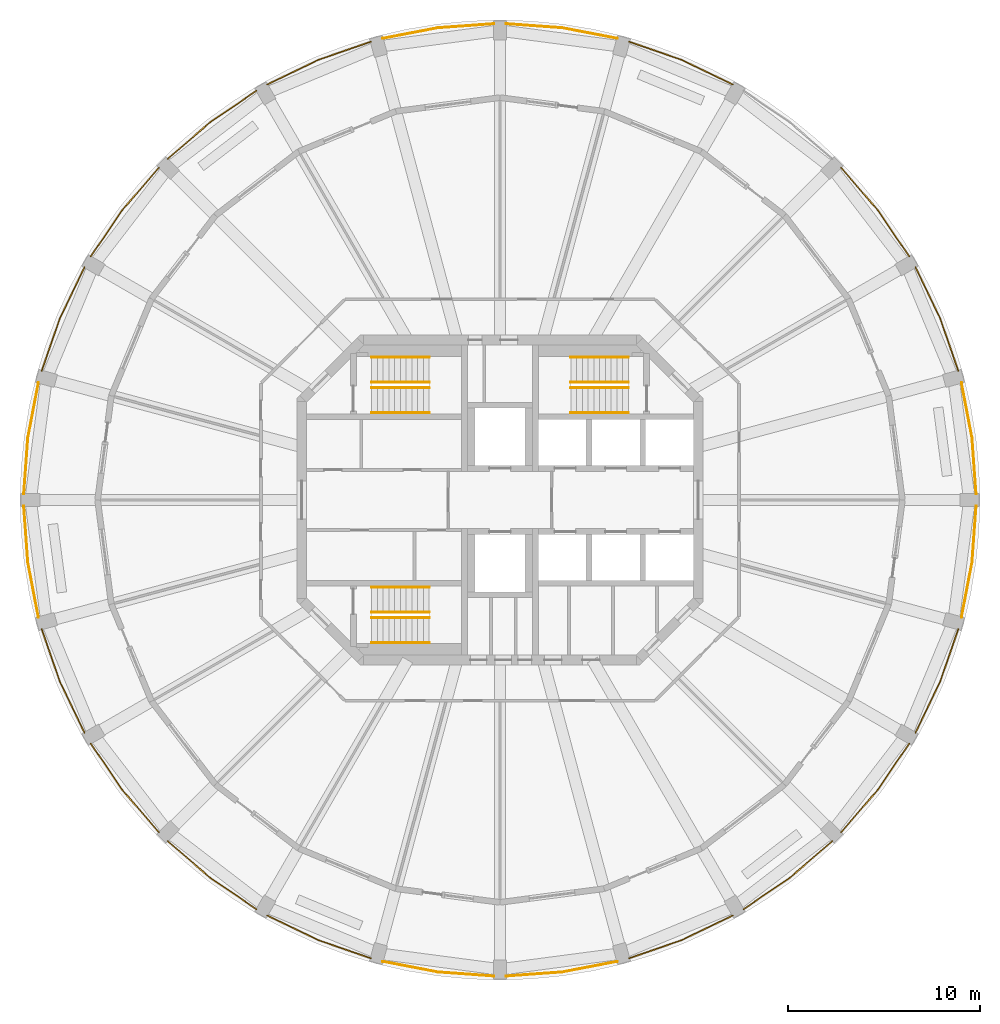
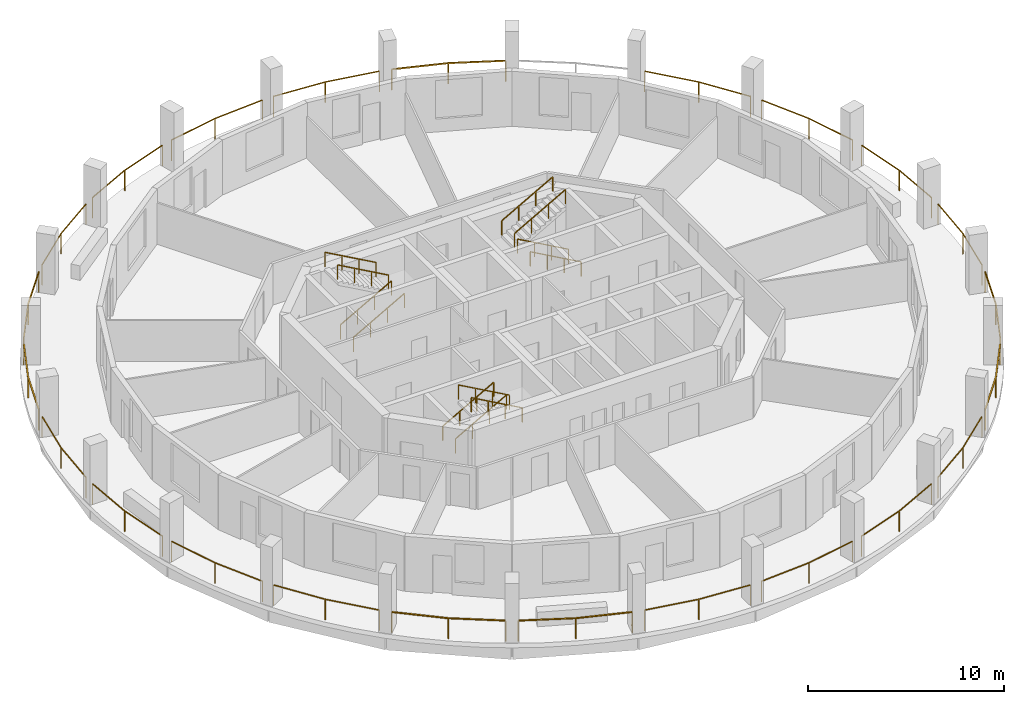
# One storey, part 8 of 9: 35 railings.
"""IFC4 building model written with IfcOpenShell, lengths in metres."""

import ifcopenshell
import ifcopenshell.guid

model = None  # the IFC model being written
_history = None  # IfcOwnerHistory: only IFC2X3 demands one
_inside = {}  # id of a spatial element -> (the spatial element, [elements in it])
_under = {}  # id of a project, library or spatial element -> (it, [spatial elements below it])
_declared = {}  # id of a project -> (the project, [libraries it declares])
_typed = {}  # id of a type object -> (the type object, [elements of that type])
_made_of = {}  # id of a material, layer set ... -> (it, [elements and type objects made of it])


def new_model(schema):
    """Start an empty IFC model of exactly this schema.

    Asked for "IFC4X3", IfcOpenShell would pick the latest addendum, in which some entities
    have other attributes; the version numbers below select the first issue.
    IFC2X3 requires an IfcOwnerHistory on every rooted entity: one is made here for all.
    """
    global model, _history
    if schema == "IFC4X3":
        model = ifcopenshell.file(schema_version=(4, 3, 0, 0))
    else:
        model = ifcopenshell.file(schema=schema)
    _inside.clear()
    _under.clear()
    _declared.clear()
    _typed.clear()
    _made_of.clear()
    _history = None
    if model.schema == "IFC2X3":
        org = make("IfcOrganization", Name="unknown")
        user = make(
            "IfcPersonAndOrganization",
            ThePerson=make("IfcPerson", FamilyName="unknown"),
            TheOrganization=org,
        )
        app = make(
            "IfcApplication",
            ApplicationDeveloper=org,
            Version="unknown",
            ApplicationFullName="unknown",
            ApplicationIdentifier="unknown",
        )
        _history = make(
            "IfcOwnerHistory",
            OwningUser=user,
            OwningApplication=app,
            ChangeAction="ADDED",
            CreationDate=0,
        )
    return model


def make(cls, **values):
    """One entity of the class cls with the attributes given. An attribute that is None is left unset."""
    return model.create_entity(
        cls, **{name: value for name, value in values.items() if value is not None}
    )


def rooted(cls, **values):
    """An entity with a GlobalId (a new one), such as an element, a storey or a relation."""
    return make(cls, GlobalId=ifcopenshell.guid.new(), OwnerHistory=_history, **values)


def si_unit(unit_type, name, prefix=None):
    """IfcSIUnit, for example si_unit("LENGTHUNIT", "METRE", prefix="MILLI")."""
    return make("IfcSIUnit", UnitType=unit_type, Prefix=prefix, Name=name)


def assignment(units):
    """IfcUnitAssignment: the units of a project."""
    return None if units is None else make("IfcUnitAssignment", Units=units)


def point(xyz):
    """IfcCartesianPoint."""
    return None if xyz is None else make("IfcCartesianPoint", Coordinates=xyz)


def direction(xyz):
    """IfcDirection."""
    return None if xyz is None else make("IfcDirection", DirectionRatios=xyz)


def frame(location, z_axis=None, x_axis=None):
    """IfcAxis2Placement3D, a coordinate frame: its origin and axes. An axis left out is left unset."""
    return make(
        "IfcAxis2Placement3D",
        Location=point(location),
        Axis=direction(z_axis),
        RefDirection=direction(x_axis),
    )


def frame_2d(location, x_axis=None):
    """IfcAxis2Placement2D, a coordinate frame in the plane: its origin and x axis."""
    return make(
        "IfcAxis2Placement2D", Location=point(location), RefDirection=direction(x_axis)
    )


def origin():
    """The frame at (0, 0, 0) with its axes left unset."""
    return frame((0.0, 0.0, 0.0))


def origin_2d():
    """The frame at (0, 0) in the plane with its x axis left unset."""
    return frame_2d((0.0, 0.0))


def place(relative_to, where):
    """IfcLocalPlacement: puts the frame where relative to a parent placement (None: the world)."""
    return make(
        "IfcLocalPlacement", PlacementRelTo=relative_to, RelativePlacement=where
    )


def context(
    kind, dimensions, precision=None, world=None, true_north=None, identifier=None
):
    """IfcGeometricRepresentationContext, for example the 3D "Model" context."""
    return make(
        "IfcGeometricRepresentationContext",
        ContextIdentifier=identifier,
        ContextType=kind,
        CoordinateSpaceDimension=dimensions,
        Precision=precision,
        WorldCoordinateSystem=world,
        TrueNorth=true_north,
    )


def subcontext(parent, identifier, kind, view, scale=None):
    """IfcGeometricRepresentationSubContext, for example "Body" below "Model"."""
    return make(
        "IfcGeometricRepresentationSubContext",
        ContextIdentifier=identifier,
        ContextType=kind,
        ParentContext=parent,
        TargetScale=scale,
        TargetView=view,
    )


def project(units=None, contexts=None):
    """IfcProject with its units and contexts."""
    return rooted(
        "IfcProject",
        Name="project",
        RepresentationContexts=contexts,
        UnitsInContext=assignment(units),
    )


def spatial(cls, under=None, at=None, **own):
    """A site, building, storey or space (cls), placed at a placement, below another one or the project."""
    s = rooted(cls, ObjectPlacement=at, **own)
    if under is not None:
        _under.setdefault(under.id(), (under, []))[1].append(s)
    return s


def profile(cls, at=None, kind="AREA", **sizes):
    """A parametric profile (cls). Its sizes go by their IFC names, for example OverallWidth=200.0."""
    return make(cls, ProfileType=kind, Position=at, **sizes)


def rectangle(**sizes):
    """IfcRectangleProfileDef."""
    return profile("IfcRectangleProfileDef", **sizes)


def extrude(swept, where, along, depth):
    """IfcExtrudedAreaSolid: the profile swept, set in the frame where, extruded along a direction by depth."""
    return make(
        "IfcExtrudedAreaSolid",
        SweptArea=swept,
        Position=where,
        ExtrudedDirection=direction(along),
        Depth=depth,
    )


def shape(context_of_items, identifier, shape_type, items):
    """IfcShapeRepresentation: the items that make up one representation, for example the "Body"."""
    return make(
        "IfcShapeRepresentation",
        ContextOfItems=context_of_items,
        RepresentationIdentifier=identifier,
        RepresentationType=shape_type,
        Items=items,
    )


def material(Name=None, Category=None):
    """IfcMaterial."""
    return make("IfcMaterial", Name=Name, Category=Category)


def made_of(thing, what):
    """Note that an element or type object is made of a material, layer set ...; save() writes the relation."""
    if what is not None:
        _made_of.setdefault(what.id(), (what, []))[1].append(thing)
    return thing


def type_object(cls, material=None, **own):
    """A type object (cls), such as IfcWallType, which elements share."""
    return made_of(rooted(cls, **own), material)


def element(
    cls,
    number,
    at=None,
    inside=None,
    cuts=None,
    type_object=None,
    material=None,
    context=None,
    identifier="Body",
    shape_type=None,
    held_by="IfcProductDefinitionShape",
    body=None,
    shapes=None,
    **own,
):
    """One element of the class cls, such as IfcWall. Its Tag is "e" and its number.

    at: its placement. inside: the storey or other place that contains it. cuts: it is an
    opening in that element (IfcRelVoidsElement). A single representation is given by context,
    identifier, shape_type and body (its items); several are given by shapes. held_by: the class
    of the entity that holds the representations. save() writes the other relations.
    """
    e = rooted(cls, Tag="e%d" % number, ObjectPlacement=at, **own)
    if body is not None:
        shapes = [shape(context, identifier, shape_type, body)]
    if shapes is not None:
        e.Representation = make(held_by, Representations=shapes)
    if inside is not None:
        _inside.setdefault(inside.id(), (inside, []))[1].append(e)
    if cuts is not None:
        rooted(
            "IfcRelVoidsElement", RelatingBuildingElement=cuts, RelatedOpeningElement=e
        )
    if type_object is not None:
        _typed.setdefault(type_object.id(), (type_object, []))[1].append(e)
    return made_of(e, material)


def aggregate(whole, parts):
    """IfcRelAggregates: a whole, such as a stair, and the parts it consists of."""
    return rooted("IfcRelAggregates", RelatingObject=whole, RelatedObjects=parts)


def save(model, path):
    """Write the relations noted so far, then the file.

    IfcRelAggregates (storeys below a building ...), IfcRelContainedInSpatialStructure (elements
    in a storey), IfcRelDefinesByType, IfcRelAssociatesMaterial and IfcRelDeclares: one each for
    every whole, place, type object, material and project.
    """
    for whole, parts in _under.values():
        aggregate(whole, parts)
    for where, things in _inside.values():
        rooted(
            "IfcRelContainedInSpatialStructure",
            RelatedElements=things,
            RelatingStructure=where,
        )
    for kind, things in _typed.values():
        rooted("IfcRelDefinesByType", RelatedObjects=things, RelatingType=kind)
    for what, things in _made_of.values():
        rooted("IfcRelAssociatesMaterial", RelatedObjects=things, RelatingMaterial=what)
    for by, libraries in _declared.values():
        rooted("IfcRelDeclares", RelatingContext=by, RelatedDefinitions=libraries)
    model.write(path)


model = new_model("IFC4")

# Units and contexts
model_context = context("Model", 3, precision=1e-05, world=origin(), true_north=direction((0.0, 1.0)))
body_context = subcontext(model_context, "Body", "Model", "MODEL_VIEW")
ifc_project = project(units=[si_unit("LENGTHUNIT", "METRE"), si_unit("AREAUNIT", "SQUARE_METRE"), si_unit("VOLUMEUNIT", "CUBIC_METRE"), si_unit("PLANEANGLEUNIT", "RADIAN"), si_unit("MASSUNIT", "GRAM", prefix="KILO")], contexts=[model_context])

# Site, building, storey
site_placement = place(None, origin())
site = spatial("IfcSite", under=ifc_project, at=site_placement, CompositionType="ELEMENT")
building_placement = place(site_placement, origin())
building = spatial("IfcBuilding", under=site, at=building_placement, Name="Torre Triforio", CompositionType="ELEMENT")
storey_placement = place(building_placement, frame((0.0, 0.0, 268.60009765625)))
storey = spatial("IfcBuildingStorey", under=building, at=storey_placement, Name="L62", CompositionType="ELEMENT", Elevation=268.60009765625)

# Railings
ifc_material = material(Name="Stainless steel AISI 316", Category="steel")
railing_type_1 = type_object("IfcRailingType", Name="HANDRAIL 920", PredefinedType="HANDRAIL", material=ifc_material)
for number, where, name in (
    (1, (-6.699951171875, 4.550048828125, 0.16796875), "Handrail ST1"),
    (2, (-6.699951171875, 5.85009765625, 0.16796875), "Handrail ST1"),
):
    element("IfcRailing", number, at=place(storey_placement, frame(where)), inside=storey, type_object=railing_type_1, Name=name, PredefinedType="HANDRAIL", context=body_context, shape_type="SweptSolid", body=[
        extrude(rectangle(XDim=0.048095703125, YDim=0.048095703125, at=origin_2d()), frame((0.0, 0.0, 0.89599609375), z_axis=(0.872272294576, 0.0, 0.489020494575), x_axis=(0.0, 1.0, 0.0)), (0.0, 0.0, 1.0), 3.439208984375),
        extrude(rectangle(XDim=0.0419921875, YDim=0.0419921875, at=origin_2d()), origin(), (0.0, 0.0, 1.0), 0.871826171875),
        extrude(rectangle(XDim=0.0419921875, YDim=0.0419921875, at=origin_2d()), frame((1.0, 0.0, 0.560546875)), (0.0, 0.0, 1.0), 0.871826171875),
        extrude(rectangle(XDim=0.0419921875, YDim=0.0419921875, at=origin_2d()), frame((2.0, 0.0, 1.121337890625)), (0.0, 0.0, 1.0), 0.871826171875),
        extrude(rectangle(XDim=0.0419921875, YDim=0.0419921875, at=origin_2d()), frame((3.0, 0.0, 1.681884765625)), (0.0, 0.0, 1.0), 0.871826171875),
    ])
for number, where, name in (
    (3, (-3.699951171875, 7.449951171875, 2.01806640625), "Handrail ST1"),
    (4, (-3.699951171875, 6.14990234375, 2.01806640625), "Handrail ST1"),
    (5, (6.699951171875, 4.550048828125, 0.16796875), "Handrail ST2"),
    (6, (6.699951171875, 5.85009765625, 0.16796875), "Handrail ST2"),
):
    element("IfcRailing", number, at=place(storey_placement, frame(where)), inside=storey, type_object=railing_type_1, Name=name, PredefinedType="HANDRAIL", context=body_context, shape_type="SweptSolid", body=[
        extrude(rectangle(XDim=0.048095703125, YDim=0.048095703125, at=origin_2d()), frame((0.0, 0.0, 0.89599609375), z_axis=(-0.872272294576, 0.0, 0.489020494575), x_axis=(0.0, -1.0, 0.0)), (0.0, 0.0, 1.0), 3.439208984375),
        extrude(rectangle(XDim=0.0419921875, YDim=0.0419921875, at=origin_2d()), origin(), (0.0, 0.0, 1.0), 0.871826171875),
        extrude(rectangle(XDim=0.0419921875, YDim=0.0419921875, at=origin_2d()), frame((-1.0, 0.0, 0.560546875)), (0.0, 0.0, 1.0), 0.871826171875),
        extrude(rectangle(XDim=0.0419921875, YDim=0.0419921875, at=origin_2d()), frame((-2.0, 0.0, 1.121337890625)), (0.0, 0.0, 1.0), 0.871826171875),
        extrude(rectangle(XDim=0.0419921875, YDim=0.0419921875, at=origin_2d()), frame((-3.0, 0.0, 1.681884765625)), (0.0, 0.0, 1.0), 0.871826171875),
    ])
for number, where, name in (
    (7, (3.699951171875, 7.449951171875, 2.01806640625), "Handrail ST2"),
    (8, (3.699951171875, 6.14990234375, 2.01806640625), "Handrail ST2"),
    (9, (-6.699951171875, -4.550048828125, 0.16796875), "Handrail ST3"),
    (10, (-6.699951171875, -5.85009765625, 0.16796875), "Handrail ST3"),
):
    element("IfcRailing", number, at=place(storey_placement, frame(where)), inside=storey, type_object=railing_type_1, Name=name, PredefinedType="HANDRAIL", context=body_context, shape_type="SweptSolid", body=[
        extrude(rectangle(XDim=0.048095703125, YDim=0.048095703125, at=origin_2d()), frame((0.0, 0.0, 0.89599609375), z_axis=(0.872272294576, 0.0, 0.489020494575), x_axis=(0.0, 1.0, 0.0)), (0.0, 0.0, 1.0), 3.439208984375),
        extrude(rectangle(XDim=0.0419921875, YDim=0.0419921875, at=origin_2d()), origin(), (0.0, 0.0, 1.0), 0.871826171875),
        extrude(rectangle(XDim=0.0419921875, YDim=0.0419921875, at=origin_2d()), frame((1.0, 0.0, 0.560546875)), (0.0, 0.0, 1.0), 0.871826171875),
        extrude(rectangle(XDim=0.0419921875, YDim=0.0419921875, at=origin_2d()), frame((2.0, 0.0, 1.121337890625)), (0.0, 0.0, 1.0), 0.871826171875),
        extrude(rectangle(XDim=0.0419921875, YDim=0.0419921875, at=origin_2d()), frame((3.0, 0.0, 1.681884765625)), (0.0, 0.0, 1.0), 0.871826171875),
    ])
for number, where, name in (
    (11, (-3.699951171875, -7.449951171875, 2.01806640625), "Handrail ST3"),
    (12, (-3.699951171875, -6.14990234375, 2.01806640625), "Handrail ST3"),
):
    element("IfcRailing", number, at=place(storey_placement, frame(where)), inside=storey, type_object=railing_type_1, Name=name, PredefinedType="HANDRAIL", context=body_context, shape_type="SweptSolid", body=[
        extrude(rectangle(XDim=0.048095703125, YDim=0.048095703125, at=origin_2d()), frame((0.0, 0.0, 0.89599609375), z_axis=(-0.872272294576, 0.0, 0.489020494575), x_axis=(0.0, -1.0, 0.0)), (0.0, 0.0, 1.0), 3.439208984375),
        extrude(rectangle(XDim=0.0419921875, YDim=0.0419921875, at=origin_2d()), origin(), (0.0, 0.0, 1.0), 0.871826171875),
        extrude(rectangle(XDim=0.0419921875, YDim=0.0419921875, at=origin_2d()), frame((-1.0, 0.0, 0.560546875)), (0.0, 0.0, 1.0), 0.871826171875),
        extrude(rectangle(XDim=0.0419921875, YDim=0.0419921875, at=origin_2d()), frame((-2.0, 0.0, 1.121337890625)), (0.0, 0.0, 1.0), 0.871826171875),
        extrude(rectangle(XDim=0.0419921875, YDim=0.0419921875, at=origin_2d()), frame((-3.0, 0.0, 1.681884765625)), (0.0, 0.0, 1.0), 0.871826171875),
    ])
railing_type_2 = type_object("IfcRailingType", Name="Loggia guard 1300", PredefinedType="GUARDRAIL", material=ifc_material)
railing_1_placement = place(storey_placement, frame((24.85009765625, 0.320068359375, 0.0)))
element("IfcRailing", 13, at=railing_1_placement, inside=storey, type_object=railing_type_2, Name="Loggia guard L62 bay 01", PredefinedType="GUARDRAIL", context=body_context, shape_type="SweptSolid", body=[
    extrude(rectangle(XDim=0.050048828125, YDim=0.050048828125, at=origin_2d()), frame((0.0, 0.0, 1.27490234375), z_axis=(-0.072543227511, 0.997365269168, 0.0), x_axis=(-0.997365269168, -0.072543227511, 0.0)), (0.0, 0.0, 1.0), 2.931396484375),
    extrude(rectangle(XDim=0.050048828125, YDim=0.050048828125, at=origin_2d()), frame((-0.212646484375, 2.923583984375, 1.27490234375), z_axis=(-0.188068851895, 0.982155846568, 0.0), x_axis=(-0.982155846568, -0.188068851895, 0.0)), (0.0, 0.0, 1.0), 2.93115234375),
    extrude(rectangle(XDim=0.0400390625, YDim=0.0400390625, at=origin_2d()), origin(), (0.0, 0.0, 1.0), 1.25),
    extrude(rectangle(XDim=0.0400390625, YDim=0.0400390625, at=origin_2d()), frame((-0.212646484375, 2.923583984375, 0.0)), (0.0, 0.0, 1.0), 1.25),
    extrude(rectangle(XDim=0.0400390625, YDim=0.0400390625, at=origin_2d()), frame((-0.763916015625, 5.802490234375, 0.0)), (0.0, 0.0, 1.0), 1.25),
])
railing_2_placement = place(storey_placement, frame((23.92041015625, 6.74072265625, 0.0)))
element("IfcRailing", 14, at=railing_2_placement, inside=storey, type_object=railing_type_2, Name="Loggia guard L62 bay 02", PredefinedType="GUARDRAIL", context=body_context, shape_type="SweptSolid", body=[
    extrude(rectangle(XDim=0.050048828125, YDim=0.050048828125, at=origin_2d()), frame((0.0, 0.0, 1.27490234375), z_axis=(-0.328145883403, 0.944627058264, 0.0), x_axis=(-0.944627058264, -0.328145883403, 0.0)), (0.0, 0.0, 1.0), 2.931396484375),
    extrude(rectangle(XDim=0.050048828125, YDim=0.050048828125, at=origin_2d()), frame((-0.9619140625, 2.76904296875, 1.27490234375), z_axis=(-0.435917913275, 0.899986429279, 0.0), x_axis=(-0.899986429279, -0.435917913275, 0.0)), (0.0, 0.0, 1.0), 2.931396484375),
    extrude(rectangle(XDim=0.0400390625, YDim=0.0400390625, at=origin_2d()), origin(), (0.0, 0.0, 1.0), 1.25),
    extrude(rectangle(XDim=0.0400390625, YDim=0.0400390625, at=origin_2d()), frame((-0.9619140625, 2.76904296875, 0.0)), (0.0, 0.0, 1.0), 1.25),
    extrude(rectangle(XDim=0.0400390625, YDim=0.0400390625, at=origin_2d()), frame((-2.23974609375, 5.4072265625, 0.0)), (0.0, 0.0, 1.0), 1.25),
])
railing_3_placement = place(storey_placement, frame((21.360595703125, 12.7021484375, 0.0)))
element("IfcRailing", 15, at=railing_3_placement, inside=storey, type_object=railing_type_2, Name="Loggia guard L62 bay 03", PredefinedType="GUARDRAIL", context=body_context, shape_type="SweptSolid", body=[
    extrude(rectangle(XDim=0.050048828125, YDim=0.050048828125, at=origin_2d()), frame((0.0, 0.0, 1.27490234375), z_axis=(-0.561466791934, 0.827499269821, 0.0), x_axis=(-0.827499269821, -0.561466791934, 0.0)), (0.0, 0.0, 1.0), 2.93115234375),
    extrude(rectangle(XDim=0.050048828125, YDim=0.050048828125, at=origin_2d()), frame((-1.645751953125, 2.425537109375, 1.27490234375), z_axis=(-0.653981928353, 0.756510170049, 0.0), x_axis=(-0.756510170049, -0.653981928353, 0.0)), (0.0, 0.0, 1.0), 2.93115234375),
    extrude(rectangle(XDim=0.0400390625, YDim=0.0400390625, at=origin_2d()), origin(), (0.0, 0.0, 1.0), 1.25),
    extrude(rectangle(XDim=0.0400390625, YDim=0.0400390625, at=origin_2d()), frame((-1.645751953125, 2.425537109375, 0.0)), (0.0, 0.0, 1.0), 1.25),
    extrude(rectangle(XDim=0.0400390625, YDim=0.0400390625, at=origin_2d()), frame((-3.562744140625, 4.64306640625, 0.0)), (0.0, 0.0, 1.0), 1.25),
])
railing_4_placement = place(storey_placement, frame((12.14794921875, 21.6806640625, 0.0)))
element("IfcRailing", 16, at=railing_4_placement, inside=storey, type_object=railing_type_2, Name="Loggia guard L62 bay 05", PredefinedType="GUARDRAIL", context=body_context, shape_type="SweptSolid", body=[
    extrude(rectangle(XDim=0.050048828125, YDim=0.050048828125, at=origin_2d()), frame((0.0, 0.0, 1.27490234375), z_axis=(-0.899986429279, 0.435917913275, 0.0), x_axis=(-0.435917913275, -0.899986429279, 0.0)), (0.0, 0.0, 1.0), 2.931396484375),
    extrude(rectangle(XDim=0.050048828125, YDim=0.050048828125, at=origin_2d()), frame((-2.63818359375, 1.27783203125, 1.27490234375), z_axis=(-0.944627058264, 0.328145883403, 0.0), x_axis=(-0.328145883403, -0.944627058264, 0.0)), (0.0, 0.0, 1.0), 2.931396484375),
    extrude(rectangle(XDim=0.0400390625, YDim=0.0400390625, at=origin_2d()), origin(), (0.0, 0.0, 1.0), 1.25),
    extrude(rectangle(XDim=0.0400390625, YDim=0.0400390625, at=origin_2d()), frame((-2.63818359375, 1.27783203125, 0.0)), (0.0, 0.0, 1.0), 1.25),
    extrude(rectangle(XDim=0.0400390625, YDim=0.0400390625, at=origin_2d()), frame((-5.4072265625, 2.23974609375, 0.0)), (0.0, 0.0, 1.0), 1.25),
])
railing_5_placement = place(storey_placement, frame((6.12255859375, 24.086181640625, 0.0)))
element("IfcRailing", 17, at=railing_5_placement, inside=storey, type_object=railing_type_2, Name="Loggia guard L62 bay 06", PredefinedType="GUARDRAIL", context=body_context, shape_type="SweptSolid", body=[
    extrude(rectangle(XDim=0.050048828125, YDim=0.050048828125, at=origin_2d()), frame((0.0, 0.0, 1.27490234375), z_axis=(-0.982155846568, 0.188068851895, 0.0), x_axis=(-0.188068851895, -0.982155846568, 0.0)), (0.0, 0.0, 1.0), 2.93115234375),
    extrude(rectangle(XDim=0.050048828125, YDim=0.050048828125, at=origin_2d()), frame((-2.87890625, 0.55126953125, 1.27490234375), z_axis=(-0.997365269168, 0.072543227511, 0.0), x_axis=(-0.072543227511, -0.997365269168, 0.0)), (0.0, 0.0, 1.0), 2.931396484375),
    extrude(rectangle(XDim=0.0400390625, YDim=0.0400390625, at=origin_2d()), origin(), (0.0, 0.0, 1.0), 1.25),
    extrude(rectangle(XDim=0.0400390625, YDim=0.0400390625, at=origin_2d()), frame((-2.87890625, 0.55126953125, 0.0)), (0.0, 0.0, 1.0), 1.25),
    extrude(rectangle(XDim=0.0400390625, YDim=0.0400390625, at=origin_2d()), frame((-5.802490234375, 0.763916015625, 0.0)), (0.0, 0.0, 1.0), 1.25),
])
railing_6_placement = place(storey_placement, frame((-0.320068359375, 24.85009765625, 0.0)))
element("IfcRailing", 18, at=railing_6_placement, inside=storey, type_object=railing_type_2, Name="Loggia guard L62 bay 07", PredefinedType="GUARDRAIL", context=body_context, shape_type="SweptSolid", body=[
    extrude(rectangle(XDim=0.050048828125, YDim=0.050048828125, at=origin_2d()), frame((0.0, 0.0, 1.27490234375), z_axis=(-0.997365269168, -0.072543227511, 0.0), x_axis=(0.072543227511, -0.997365269168, 0.0)), (0.0, 0.0, 1.0), 2.931396484375),
    extrude(rectangle(XDim=0.050048828125, YDim=0.050048828125, at=origin_2d()), frame((-2.923583984375, -0.212646484375, 1.27490234375), z_axis=(-0.982155846568, -0.188068851895, 0.0), x_axis=(0.188068851895, -0.982155846568, 0.0)), (0.0, 0.0, 1.0), 2.93115234375),
    extrude(rectangle(XDim=0.0400390625, YDim=0.0400390625, at=origin_2d()), origin(), (0.0, 0.0, 1.0), 1.25),
    extrude(rectangle(XDim=0.0400390625, YDim=0.0400390625, at=origin_2d()), frame((-2.923583984375, -0.212646484375, 0.0)), (0.0, 0.0, 1.0), 1.25),
    extrude(rectangle(XDim=0.0400390625, YDim=0.0400390625, at=origin_2d()), frame((-5.802490234375, -0.763916015625, 0.0)), (0.0, 0.0, 1.0), 1.25),
])
railing_7_placement = place(storey_placement, frame((-6.74072265625, 23.92041015625, 0.0)))
element("IfcRailing", 19, at=railing_7_placement, inside=storey, type_object=railing_type_2, Name="Loggia guard L62 bay 08", PredefinedType="GUARDRAIL", context=body_context, shape_type="SweptSolid", body=[
    extrude(rectangle(XDim=0.050048828125, YDim=0.050048828125, at=origin_2d()), frame((0.0, 0.0, 1.27490234375), z_axis=(-0.944627058264, -0.328145883403, 0.0), x_axis=(0.328145883403, -0.944627058264, 0.0)), (0.0, 0.0, 1.0), 2.931396484375),
    extrude(rectangle(XDim=0.050048828125, YDim=0.050048828125, at=origin_2d()), frame((-2.76904296875, -0.9619140625, 1.27490234375), z_axis=(-0.899986429279, -0.435917913275, 0.0), x_axis=(0.435917913275, -0.899986429279, 0.0)), (0.0, 0.0, 1.0), 2.931396484375),
    extrude(rectangle(XDim=0.0400390625, YDim=0.0400390625, at=origin_2d()), origin(), (0.0, 0.0, 1.0), 1.25),
    extrude(rectangle(XDim=0.0400390625, YDim=0.0400390625, at=origin_2d()), frame((-2.76904296875, -0.9619140625, 0.0)), (0.0, 0.0, 1.0), 1.25),
    extrude(rectangle(XDim=0.0400390625, YDim=0.0400390625, at=origin_2d()), frame((-5.4072265625, -2.23974609375, 0.0)), (0.0, 0.0, 1.0), 1.25),
])
railing_8_placement = place(storey_placement, frame((-12.7021484375, 21.360595703125, 0.0)))
element("IfcRailing", 20, at=railing_8_placement, inside=storey, type_object=railing_type_2, Name="Loggia guard L62 bay 09", PredefinedType="GUARDRAIL", context=body_context, shape_type="SweptSolid", body=[
    extrude(rectangle(XDim=0.050048828125, YDim=0.050048828125, at=origin_2d()), frame((0.0, 0.0, 1.27490234375), z_axis=(-0.827499269821, -0.561466791934, 0.0), x_axis=(0.561466791934, -0.827499269821, 0.0)), (0.0, 0.0, 1.0), 2.93115234375),
    extrude(rectangle(XDim=0.050048828125, YDim=0.050048828125, at=origin_2d()), frame((-2.425537109375, -1.645751953125, 1.27490234375), z_axis=(-0.756510170049, -0.653981928353, 0.0), x_axis=(0.653981928353, -0.756510170049, 0.0)), (0.0, 0.0, 1.0), 2.93115234375),
    extrude(rectangle(XDim=0.0400390625, YDim=0.0400390625, at=origin_2d()), origin(), (0.0, 0.0, 1.0), 1.25),
    extrude(rectangle(XDim=0.0400390625, YDim=0.0400390625, at=origin_2d()), frame((-2.425537109375, -1.645751953125, 0.0)), (0.0, 0.0, 1.0), 1.25),
    extrude(rectangle(XDim=0.0400390625, YDim=0.0400390625, at=origin_2d()), frame((-4.64306640625, -3.562744140625, 0.0)), (0.0, 0.0, 1.0), 1.25),
])
railing_9_placement = place(storey_placement, frame((-17.7978515625, 17.34521484375, 0.0)))
element("IfcRailing", 21, at=railing_9_placement, inside=storey, type_object=railing_type_2, Name="Loggia guard L62 bay 10", PredefinedType="GUARDRAIL", context=body_context, shape_type="SweptSolid", body=[
    extrude(rectangle(XDim=0.050048828125, YDim=0.050048828125, at=origin_2d()), frame((0.0, 0.0, 1.27490234375), z_axis=(-0.653981928353, -0.756510170049, 0.0), x_axis=(0.756510170049, -0.653981928353, 0.0)), (0.0, 0.0, 1.0), 2.93115234375),
    extrude(rectangle(XDim=0.050048828125, YDim=0.050048828125, at=origin_2d()), frame((-1.9169921875, -2.217529296875, 1.27490234375), z_axis=(-0.561466791934, -0.827499269821, 0.0), x_axis=(0.827499269821, -0.561466791934, 0.0)), (0.0, 0.0, 1.0), 2.93115234375),
    extrude(rectangle(XDim=0.0400390625, YDim=0.0400390625, at=origin_2d()), origin(), (0.0, 0.0, 1.0), 1.25),
    extrude(rectangle(XDim=0.0400390625, YDim=0.0400390625, at=origin_2d()), frame((-1.9169921875, -2.217529296875, 0.0)), (0.0, 0.0, 1.0), 1.25),
    extrude(rectangle(XDim=0.0400390625, YDim=0.0400390625, at=origin_2d()), frame((-3.562744140625, -4.64306640625, 0.0)), (0.0, 0.0, 1.0), 1.25),
])
railing_10_placement = place(storey_placement, frame((-21.6806640625, 12.14794921875, 0.0)))
element("IfcRailing", 22, at=railing_10_placement, inside=storey, type_object=railing_type_2, Name="Loggia guard L62 bay 11", PredefinedType="GUARDRAIL", context=body_context, shape_type="SweptSolid", body=[
    extrude(rectangle(XDim=0.050048828125, YDim=0.050048828125, at=origin_2d()), frame((0.0, 0.0, 1.27490234375), z_axis=(-0.435917913275, -0.899986429279, 0.0), x_axis=(0.899986429279, -0.435917913275, 0.0)), (0.0, 0.0, 1.0), 2.931396484375),
    extrude(rectangle(XDim=0.050048828125, YDim=0.050048828125, at=origin_2d()), frame((-1.27783203125, -2.63818359375, 1.27490234375), z_axis=(-0.328145883403, -0.944627058264, 0.0), x_axis=(0.944627058264, -0.328145883403, 0.0)), (0.0, 0.0, 1.0), 2.931396484375),
    extrude(rectangle(XDim=0.0400390625, YDim=0.0400390625, at=origin_2d()), origin(), (0.0, 0.0, 1.0), 1.25),
    extrude(rectangle(XDim=0.0400390625, YDim=0.0400390625, at=origin_2d()), frame((-1.27783203125, -2.63818359375, 0.0)), (0.0, 0.0, 1.0), 1.25),
    extrude(rectangle(XDim=0.0400390625, YDim=0.0400390625, at=origin_2d()), frame((-2.23974609375, -5.4072265625, 0.0)), (0.0, 0.0, 1.0), 1.25),
])
railing_11_placement = place(storey_placement, frame((-24.086181640625, 6.12255859375, 0.0)))
element("IfcRailing", 23, at=railing_11_placement, inside=storey, type_object=railing_type_2, Name="Loggia guard L62 bay 12", PredefinedType="GUARDRAIL", context=body_context, shape_type="SweptSolid", body=[
    extrude(rectangle(XDim=0.050048828125, YDim=0.050048828125, at=origin_2d()), frame((0.0, 0.0, 1.27490234375), z_axis=(-0.188068851895, -0.982155846568, 0.0), x_axis=(0.982155846568, -0.188068851895, 0.0)), (0.0, 0.0, 1.0), 2.93115234375),
    extrude(rectangle(XDim=0.050048828125, YDim=0.050048828125, at=origin_2d()), frame((-0.55126953125, -2.87890625, 1.27490234375), z_axis=(-0.072543227511, -0.997365269168, 0.0), x_axis=(0.997365269168, -0.072543227511, 0.0)), (0.0, 0.0, 1.0), 2.931396484375),
    extrude(rectangle(XDim=0.0400390625, YDim=0.0400390625, at=origin_2d()), origin(), (0.0, 0.0, 1.0), 1.25),
    extrude(rectangle(XDim=0.0400390625, YDim=0.0400390625, at=origin_2d()), frame((-0.55126953125, -2.87890625, 0.0)), (0.0, 0.0, 1.0), 1.25),
    extrude(rectangle(XDim=0.0400390625, YDim=0.0400390625, at=origin_2d()), frame((-0.763916015625, -5.802490234375, 0.0)), (0.0, 0.0, 1.0), 1.25),
])
railing_12_placement = place(storey_placement, frame((-24.85009765625, -0.320068359375, 0.0)))
element("IfcRailing", 24, at=railing_12_placement, inside=storey, type_object=railing_type_2, Name="Loggia guard L62 bay 13", PredefinedType="GUARDRAIL", context=body_context, shape_type="SweptSolid", body=[
    extrude(rectangle(XDim=0.050048828125, YDim=0.050048828125, at=origin_2d()), frame((0.0, 0.0, 1.27490234375), z_axis=(0.072543227511, -0.997365269168, 0.0), x_axis=(0.997365269168, 0.072543227511, 0.0)), (0.0, 0.0, 1.0), 2.931396484375),
    extrude(rectangle(XDim=0.050048828125, YDim=0.050048828125, at=origin_2d()), frame((0.212646484375, -2.923583984375, 1.27490234375), z_axis=(0.188068851895, -0.982155846568, 0.0), x_axis=(0.982155846568, 0.188068851895, 0.0)), (0.0, 0.0, 1.0), 2.93115234375),
    extrude(rectangle(XDim=0.0400390625, YDim=0.0400390625, at=origin_2d()), origin(), (0.0, 0.0, 1.0), 1.25),
    extrude(rectangle(XDim=0.0400390625, YDim=0.0400390625, at=origin_2d()), frame((0.212646484375, -2.923583984375, 0.0)), (0.0, 0.0, 1.0), 1.25),
    extrude(rectangle(XDim=0.0400390625, YDim=0.0400390625, at=origin_2d()), frame((0.763916015625, -5.802490234375, 0.0)), (0.0, 0.0, 1.0), 1.25),
])
railing_13_placement = place(storey_placement, frame((-23.92041015625, -6.74072265625, 0.0)))
element("IfcRailing", 25, at=railing_13_placement, inside=storey, type_object=railing_type_2, Name="Loggia guard L62 bay 14", PredefinedType="GUARDRAIL", context=body_context, shape_type="SweptSolid", body=[
    extrude(rectangle(XDim=0.050048828125, YDim=0.050048828125, at=origin_2d()), frame((0.0, 0.0, 1.27490234375), z_axis=(0.328145883403, -0.944627058264, 0.0), x_axis=(0.944627058264, 0.328145883403, 0.0)), (0.0, 0.0, 1.0), 2.931396484375),
    extrude(rectangle(XDim=0.050048828125, YDim=0.050048828125, at=origin_2d()), frame((0.9619140625, -2.76904296875, 1.27490234375), z_axis=(0.435917913275, -0.899986429279, 0.0), x_axis=(0.899986429279, 0.435917913275, 0.0)), (0.0, 0.0, 1.0), 2.931396484375),
    extrude(rectangle(XDim=0.0400390625, YDim=0.0400390625, at=origin_2d()), origin(), (0.0, 0.0, 1.0), 1.25),
    extrude(rectangle(XDim=0.0400390625, YDim=0.0400390625, at=origin_2d()), frame((0.9619140625, -2.76904296875, 0.0)), (0.0, 0.0, 1.0), 1.25),
    extrude(rectangle(XDim=0.0400390625, YDim=0.0400390625, at=origin_2d()), frame((2.23974609375, -5.4072265625, 0.0)), (0.0, 0.0, 1.0), 1.25),
])
railing_14_placement = place(storey_placement, frame((-21.360595703125, -12.7021484375, 0.0)))
element("IfcRailing", 26, at=railing_14_placement, inside=storey, type_object=railing_type_2, Name="Loggia guard L62 bay 15", PredefinedType="GUARDRAIL", context=body_context, shape_type="SweptSolid", body=[
    extrude(rectangle(XDim=0.050048828125, YDim=0.050048828125, at=origin_2d()), frame((0.0, 0.0, 1.27490234375), z_axis=(0.561466791934, -0.827499269821, 0.0), x_axis=(0.827499269821, 0.561466791934, 0.0)), (0.0, 0.0, 1.0), 2.93115234375),
    extrude(rectangle(XDim=0.050048828125, YDim=0.050048828125, at=origin_2d()), frame((1.645751953125, -2.425537109375, 1.27490234375), z_axis=(0.653981928353, -0.756510170049, 0.0), x_axis=(0.756510170049, 0.653981928353, 0.0)), (0.0, 0.0, 1.0), 2.93115234375),
    extrude(rectangle(XDim=0.0400390625, YDim=0.0400390625, at=origin_2d()), origin(), (0.0, 0.0, 1.0), 1.25),
    extrude(rectangle(XDim=0.0400390625, YDim=0.0400390625, at=origin_2d()), frame((1.645751953125, -2.425537109375, 0.0)), (0.0, 0.0, 1.0), 1.25),
    extrude(rectangle(XDim=0.0400390625, YDim=0.0400390625, at=origin_2d()), frame((3.562744140625, -4.64306640625, 0.0)), (0.0, 0.0, 1.0), 1.25),
])
railing_15_placement = place(storey_placement, frame((-17.34521484375, -17.7978515625, 0.0)))
element("IfcRailing", 27, at=railing_15_placement, inside=storey, type_object=railing_type_2, Name="Loggia guard L62 bay 16", PredefinedType="GUARDRAIL", context=body_context, shape_type="SweptSolid", body=[
    extrude(rectangle(XDim=0.050048828125, YDim=0.050048828125, at=origin_2d()), frame((0.0, 0.0, 1.27490234375), z_axis=(0.756510170049, -0.653981928353, 0.0), x_axis=(0.653981928353, 0.756510170049, 0.0)), (0.0, 0.0, 1.0), 2.93115234375),
    extrude(rectangle(XDim=0.050048828125, YDim=0.050048828125, at=origin_2d()), frame((2.217529296875, -1.9169921875, 1.27490234375), z_axis=(0.827499269821, -0.561466791934, 0.0), x_axis=(0.561466791934, 0.827499269821, 0.0)), (0.0, 0.0, 1.0), 2.93115234375),
    extrude(rectangle(XDim=0.0400390625, YDim=0.0400390625, at=origin_2d()), origin(), (0.0, 0.0, 1.0), 1.25),
    extrude(rectangle(XDim=0.0400390625, YDim=0.0400390625, at=origin_2d()), frame((2.217529296875, -1.9169921875, 0.0)), (0.0, 0.0, 1.0), 1.25),
    extrude(rectangle(XDim=0.0400390625, YDim=0.0400390625, at=origin_2d()), frame((4.64306640625, -3.562744140625, 0.0)), (0.0, 0.0, 1.0), 1.25),
])
railing_16_placement = place(storey_placement, frame((-12.14794921875, -21.6806640625, 0.0)))
element("IfcRailing", 28, at=railing_16_placement, inside=storey, type_object=railing_type_2, Name="Loggia guard L62 bay 17", PredefinedType="GUARDRAIL", context=body_context, shape_type="SweptSolid", body=[
    extrude(rectangle(XDim=0.050048828125, YDim=0.050048828125, at=origin_2d()), frame((0.0, 0.0, 1.27490234375), z_axis=(0.899986429279, -0.435917913275, 0.0), x_axis=(0.435917913275, 0.899986429279, 0.0)), (0.0, 0.0, 1.0), 2.931396484375),
    extrude(rectangle(XDim=0.050048828125, YDim=0.050048828125, at=origin_2d()), frame((2.63818359375, -1.27783203125, 1.27490234375), z_axis=(0.944627058264, -0.328145883403, 0.0), x_axis=(0.328145883403, 0.944627058264, 0.0)), (0.0, 0.0, 1.0), 2.931396484375),
    extrude(rectangle(XDim=0.0400390625, YDim=0.0400390625, at=origin_2d()), origin(), (0.0, 0.0, 1.0), 1.25),
    extrude(rectangle(XDim=0.0400390625, YDim=0.0400390625, at=origin_2d()), frame((2.63818359375, -1.27783203125, 0.0)), (0.0, 0.0, 1.0), 1.25),
    extrude(rectangle(XDim=0.0400390625, YDim=0.0400390625, at=origin_2d()), frame((5.4072265625, -2.23974609375, 0.0)), (0.0, 0.0, 1.0), 1.25),
])
railing_17_placement = place(storey_placement, frame((-6.12255859375, -24.086181640625, 0.0)))
element("IfcRailing", 29, at=railing_17_placement, inside=storey, type_object=railing_type_2, Name="Loggia guard L62 bay 18", PredefinedType="GUARDRAIL", context=body_context, shape_type="SweptSolid", body=[
    extrude(rectangle(XDim=0.050048828125, YDim=0.050048828125, at=origin_2d()), frame((0.0, 0.0, 1.27490234375), z_axis=(0.982155846568, -0.188068851895, 0.0), x_axis=(0.188068851895, 0.982155846568, 0.0)), (0.0, 0.0, 1.0), 2.93115234375),
    extrude(rectangle(XDim=0.050048828125, YDim=0.050048828125, at=origin_2d()), frame((2.87890625, -0.55126953125, 1.27490234375), z_axis=(0.997365269168, -0.072543227511, 0.0), x_axis=(0.072543227511, 0.997365269168, 0.0)), (0.0, 0.0, 1.0), 2.931396484375),
    extrude(rectangle(XDim=0.0400390625, YDim=0.0400390625, at=origin_2d()), origin(), (0.0, 0.0, 1.0), 1.25),
    extrude(rectangle(XDim=0.0400390625, YDim=0.0400390625, at=origin_2d()), frame((2.87890625, -0.55126953125, 0.0)), (0.0, 0.0, 1.0), 1.25),
    extrude(rectangle(XDim=0.0400390625, YDim=0.0400390625, at=origin_2d()), frame((5.802490234375, -0.763916015625, 0.0)), (0.0, 0.0, 1.0), 1.25),
])
railing_18_placement = place(storey_placement, frame((0.320068359375, -24.85009765625, 0.0)))
element("IfcRailing", 30, at=railing_18_placement, inside=storey, type_object=railing_type_2, Name="Loggia guard L62 bay 19", PredefinedType="GUARDRAIL", context=body_context, shape_type="SweptSolid", body=[
    extrude(rectangle(XDim=0.050048828125, YDim=0.050048828125, at=origin_2d()), frame((0.0, 0.0, 1.27490234375), z_axis=(0.997365269168, 0.072543227511, 0.0), x_axis=(-0.072543227511, 0.997365269168, 0.0)), (0.0, 0.0, 1.0), 2.931396484375),
    extrude(rectangle(XDim=0.050048828125, YDim=0.050048828125, at=origin_2d()), frame((2.923583984375, 0.212646484375, 1.27490234375), z_axis=(0.982155846568, 0.188068851895, 0.0), x_axis=(-0.188068851895, 0.982155846568, 0.0)), (0.0, 0.0, 1.0), 2.93115234375),
    extrude(rectangle(XDim=0.0400390625, YDim=0.0400390625, at=origin_2d()), origin(), (0.0, 0.0, 1.0), 1.25),
    extrude(rectangle(XDim=0.0400390625, YDim=0.0400390625, at=origin_2d()), frame((2.923583984375, 0.212646484375, 0.0)), (0.0, 0.0, 1.0), 1.25),
    extrude(rectangle(XDim=0.0400390625, YDim=0.0400390625, at=origin_2d()), frame((5.802490234375, 0.763916015625, 0.0)), (0.0, 0.0, 1.0), 1.25),
])
railing_19_placement = place(storey_placement, frame((6.74072265625, -23.92041015625, 0.0)))
element("IfcRailing", 31, at=railing_19_placement, inside=storey, type_object=railing_type_2, Name="Loggia guard L62 bay 20", PredefinedType="GUARDRAIL", context=body_context, shape_type="SweptSolid", body=[
    extrude(rectangle(XDim=0.050048828125, YDim=0.050048828125, at=origin_2d()), frame((0.0, 0.0, 1.27490234375), z_axis=(0.944627058264, 0.328145883403, 0.0), x_axis=(-0.328145883403, 0.944627058264, 0.0)), (0.0, 0.0, 1.0), 2.931396484375),
    extrude(rectangle(XDim=0.050048828125, YDim=0.050048828125, at=origin_2d()), frame((2.76904296875, 0.9619140625, 1.27490234375), z_axis=(0.899986429279, 0.435917913275, 0.0), x_axis=(-0.435917913275, 0.899986429279, 0.0)), (0.0, 0.0, 1.0), 2.931396484375),
    extrude(rectangle(XDim=0.0400390625, YDim=0.0400390625, at=origin_2d()), origin(), (0.0, 0.0, 1.0), 1.25),
    extrude(rectangle(XDim=0.0400390625, YDim=0.0400390625, at=origin_2d()), frame((2.76904296875, 0.9619140625, 0.0)), (0.0, 0.0, 1.0), 1.25),
    extrude(rectangle(XDim=0.0400390625, YDim=0.0400390625, at=origin_2d()), frame((5.4072265625, 2.23974609375, 0.0)), (0.0, 0.0, 1.0), 1.25),
])
railing_20_placement = place(storey_placement, frame((12.7021484375, -21.360595703125, 0.0)))
element("IfcRailing", 32, at=railing_20_placement, inside=storey, type_object=railing_type_2, Name="Loggia guard L62 bay 21", PredefinedType="GUARDRAIL", context=body_context, shape_type="SweptSolid", body=[
    extrude(rectangle(XDim=0.050048828125, YDim=0.050048828125, at=origin_2d()), frame((0.0, 0.0, 1.27490234375), z_axis=(0.827499269821, 0.561466791934, 0.0), x_axis=(-0.561466791934, 0.827499269821, 0.0)), (0.0, 0.0, 1.0), 2.93115234375),
    extrude(rectangle(XDim=0.050048828125, YDim=0.050048828125, at=origin_2d()), frame((2.425537109375, 1.645751953125, 1.27490234375), z_axis=(0.756510170049, 0.653981928353, 0.0), x_axis=(-0.653981928353, 0.756510170049, 0.0)), (0.0, 0.0, 1.0), 2.93115234375),
    extrude(rectangle(XDim=0.0400390625, YDim=0.0400390625, at=origin_2d()), origin(), (0.0, 0.0, 1.0), 1.25),
    extrude(rectangle(XDim=0.0400390625, YDim=0.0400390625, at=origin_2d()), frame((2.425537109375, 1.645751953125, 0.0)), (0.0, 0.0, 1.0), 1.25),
    extrude(rectangle(XDim=0.0400390625, YDim=0.0400390625, at=origin_2d()), frame((4.64306640625, 3.562744140625, 0.0)), (0.0, 0.0, 1.0), 1.25),
])
railing_21_placement = place(storey_placement, frame((17.7978515625, -17.34521484375, 0.0)))
element("IfcRailing", 33, at=railing_21_placement, inside=storey, type_object=railing_type_2, Name="Loggia guard L62 bay 22", PredefinedType="GUARDRAIL", context=body_context, shape_type="SweptSolid", body=[
    extrude(rectangle(XDim=0.050048828125, YDim=0.050048828125, at=origin_2d()), frame((0.0, 0.0, 1.27490234375), z_axis=(0.653981928353, 0.756510170049, 0.0), x_axis=(-0.756510170049, 0.653981928353, 0.0)), (0.0, 0.0, 1.0), 2.93115234375),
    extrude(rectangle(XDim=0.050048828125, YDim=0.050048828125, at=origin_2d()), frame((1.9169921875, 2.217529296875, 1.27490234375), z_axis=(0.561466791934, 0.827499269821, 0.0), x_axis=(-0.827499269821, 0.561466791934, 0.0)), (0.0, 0.0, 1.0), 2.93115234375),
    extrude(rectangle(XDim=0.0400390625, YDim=0.0400390625, at=origin_2d()), origin(), (0.0, 0.0, 1.0), 1.25),
    extrude(rectangle(XDim=0.0400390625, YDim=0.0400390625, at=origin_2d()), frame((1.9169921875, 2.217529296875, 0.0)), (0.0, 0.0, 1.0), 1.25),
    extrude(rectangle(XDim=0.0400390625, YDim=0.0400390625, at=origin_2d()), frame((3.562744140625, 4.64306640625, 0.0)), (0.0, 0.0, 1.0), 1.25),
])
railing_22_placement = place(storey_placement, frame((21.6806640625, -12.14794921875, 0.0)))
element("IfcRailing", 34, at=railing_22_placement, inside=storey, type_object=railing_type_2, Name="Loggia guard L62 bay 23", PredefinedType="GUARDRAIL", context=body_context, shape_type="SweptSolid", body=[
    extrude(rectangle(XDim=0.050048828125, YDim=0.050048828125, at=origin_2d()), frame((0.0, 0.0, 1.27490234375), z_axis=(0.435917913275, 0.899986429279, 0.0), x_axis=(-0.899986429279, 0.435917913275, 0.0)), (0.0, 0.0, 1.0), 2.931396484375),
    extrude(rectangle(XDim=0.050048828125, YDim=0.050048828125, at=origin_2d()), frame((1.27783203125, 2.63818359375, 1.27490234375), z_axis=(0.328145883403, 0.944627058264, 0.0), x_axis=(-0.944627058264, 0.328145883403, 0.0)), (0.0, 0.0, 1.0), 2.931396484375),
    extrude(rectangle(XDim=0.0400390625, YDim=0.0400390625, at=origin_2d()), origin(), (0.0, 0.0, 1.0), 1.25),
    extrude(rectangle(XDim=0.0400390625, YDim=0.0400390625, at=origin_2d()), frame((1.27783203125, 2.63818359375, 0.0)), (0.0, 0.0, 1.0), 1.25),
    extrude(rectangle(XDim=0.0400390625, YDim=0.0400390625, at=origin_2d()), frame((2.23974609375, 5.4072265625, 0.0)), (0.0, 0.0, 1.0), 1.25),
])
railing_23_placement = place(storey_placement, frame((24.086181640625, -6.12255859375, 0.0)))
element("IfcRailing", 35, at=railing_23_placement, inside=storey, type_object=railing_type_2, Name="Loggia guard L62 bay 24", PredefinedType="GUARDRAIL", context=body_context, shape_type="SweptSolid", body=[
    extrude(rectangle(XDim=0.050048828125, YDim=0.050048828125, at=origin_2d()), frame((0.0, 0.0, 1.27490234375), z_axis=(0.188068851895, 0.982155846568, 0.0), x_axis=(-0.982155846568, 0.188068851895, 0.0)), (0.0, 0.0, 1.0), 2.93115234375),
    extrude(rectangle(XDim=0.050048828125, YDim=0.050048828125, at=origin_2d()), frame((0.55126953125, 2.87890625, 1.27490234375), z_axis=(0.072543227511, 0.997365269168, 0.0), x_axis=(-0.997365269168, 0.072543227511, 0.0)), (0.0, 0.0, 1.0), 2.931396484375),
    extrude(rectangle(XDim=0.0400390625, YDim=0.0400390625, at=origin_2d()), origin(), (0.0, 0.0, 1.0), 1.25),
    extrude(rectangle(XDim=0.0400390625, YDim=0.0400390625, at=origin_2d()), frame((0.55126953125, 2.87890625, 0.0)), (0.0, 0.0, 1.0), 1.25),
    extrude(rectangle(XDim=0.0400390625, YDim=0.0400390625, at=origin_2d()), frame((0.763916015625, 5.802490234375, 0.0)), (0.0, 0.0, 1.0), 1.25),
])

save(model, "model.ifc")
